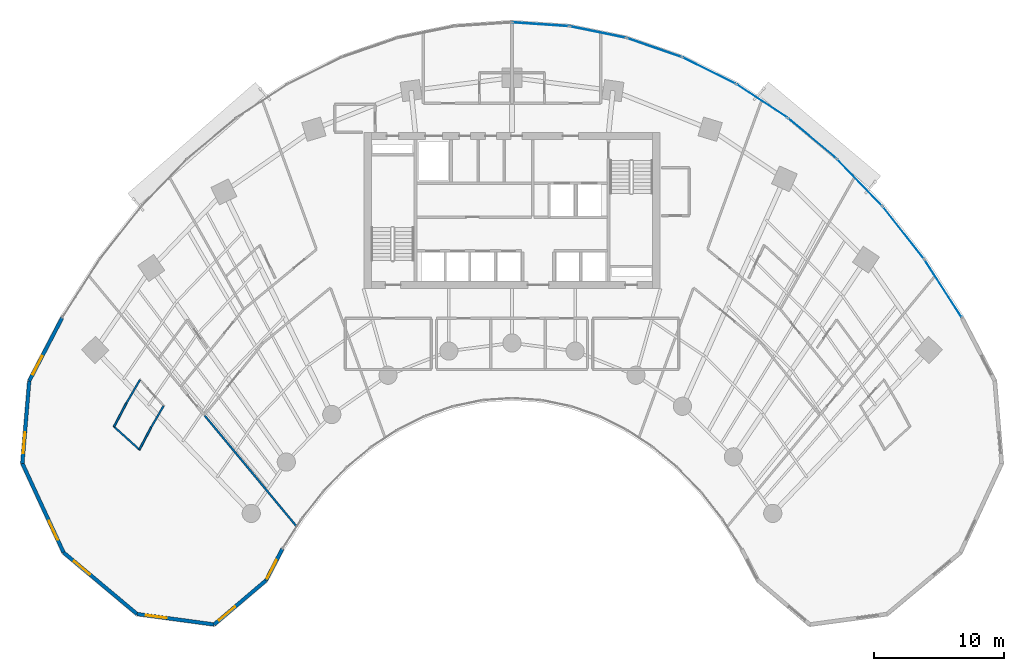
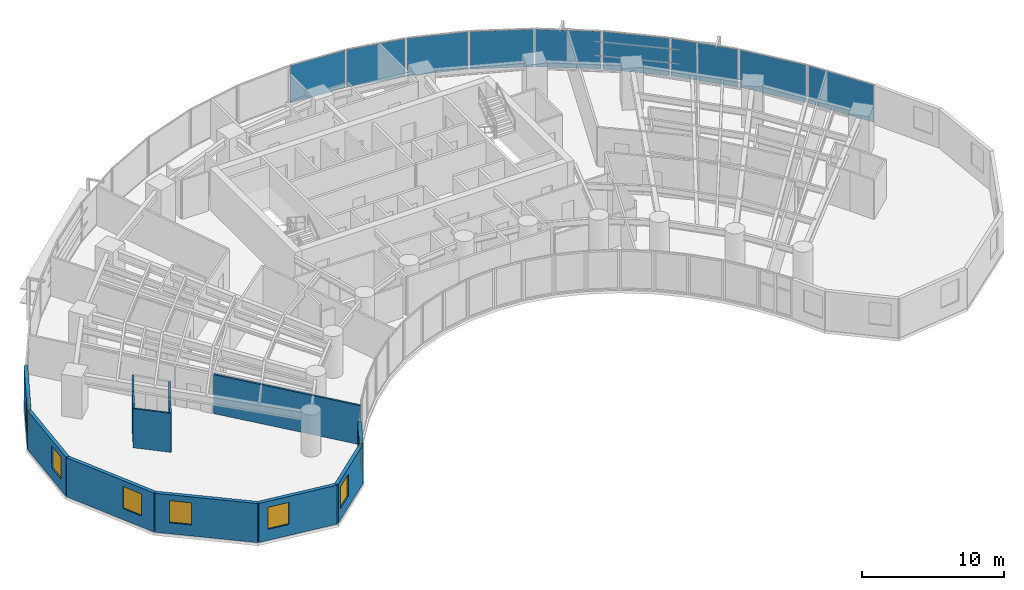
# One storey, part 10 of 17: 13 walls, 9 plates, 7 windows, 7 openings, 9 elements without a shape of their own.
"""IFC4 building model written with IfcOpenShell, lengths in metres."""

from ifc_helpers import new_model, si_unit, direction, frame, frame_2d, origin, origin_2d, place, context, subcontext, project, spatial, rectangle, extrude, source, transform, mapped, material, layer, layer_set, type_object, type_shapes, element, fill, aggregate, save


model = new_model("IFC4")

# Units and contexts
model_context = context("Model", 3, precision=1e-05, world=origin(), true_north=direction((0.0, 1.0)))
body_context = subcontext(model_context, "Body", "Model", "MODEL_VIEW")
ifc_project = project(units=[si_unit("LENGTHUNIT", "METRE"), si_unit("AREAUNIT", "SQUARE_METRE"), si_unit("VOLUMEUNIT", "CUBIC_METRE"), si_unit("PLANEANGLEUNIT", "RADIAN"), si_unit("MASSUNIT", "GRAM", prefix="KILO")], contexts=[model_context])

# Site, building, storey
site_placement = place(None, origin())
site = spatial("IfcSite", under=ifc_project, at=site_placement, CompositionType="ELEMENT")
building_placement = place(site_placement, origin())
building = spatial("IfcBuilding", under=site, at=building_placement, Name="Breltana Convention Tower", CompositionType="ELEMENT")
storey_placement = place(building_placement, frame((0.0, 0.0, 49.800048828125)))
storey = spatial("IfcBuildingStorey", under=building, at=storey_placement, Name="L10", CompositionType="ELEMENT", Elevation=49.800048828125)

# Curtain wall, plate
ifc_material_1 = material(Name="Aluminium Anodised Bronze Frame", Category="aluminium")
ifc_layer_1 = layer(ifc_material_1, 0.199951171875, Name="Aluminium Anodised Bronze Frame")
ifc_layer_set_1 = layer_set([ifc_layer_1], Name="Aluminium Anodised Bronze Frame")
curtain_wall_type = type_object("IfcCurtainWallType", Name="CW-SYS-2", PredefinedType="NOTDEFINED", material=ifc_layer_set_1)
curtain_wall_1_placement = place(storey_placement, origin())
curtain_wall_1 = element("IfcCurtainWall", 1, at=curtain_wall_1_placement, inside=storey, type_object=curtain_wall_type, Name="L10 outer double-skin inner glazing 17", PredefinedType="NOTDEFINED")
ifc_material_2 = material(Name="Glass Low-E Double Glazing", Category="glass")
ifc_layer_2 = layer(ifc_material_2, 0.031982421875, Name="Glass Low-E Double Glazing")
ifc_layer_set_2 = layer_set([ifc_layer_2], Name="Glass Low-E Double Glazing")
plate_type = type_object("IfcPlateType", Name="CWP-IGU-32", PredefinedType="CURTAIN_PANEL", material=ifc_layer_set_2)
shared_shape_1 = source(origin(), body_context, "Body", "SweptSolid", [
    extrude(rectangle(XDim=5.0546875, YDim=0.031982421875, at=origin_2d()), origin(), (0.0, 0.0, 1.0), 3.219970703125),
])
plate_1_placement = place(storey_placement, frame((78.038818359375, 64.504638671875, 0.06982421875), z_axis=(0.0, 0.0, 1.0), x_axis=(0.618153917633, -0.786057080698, 0.0)))
plate_1 = element("IfcPlate", 2, at=plate_1_placement, type_object=plate_type, Name="CW-02 panel 1.1", PredefinedType="CURTAIN_PANEL", context=body_context, shape_type="MappedRepresentation", body=[
    mapped(shared_shape_1, transform((0.0, 0.0, 0.0), scale=1.0)),
])
aggregate(curtain_wall_1, [plate_1])

curtain_wall_2_placement = place(storey_placement, origin())
curtain_wall_2 = element("IfcCurtainWall", 3, at=curtain_wall_2_placement, inside=storey, type_object=curtain_wall_type, Name="L10 outer double-skin inner glazing 16", PredefinedType="NOTDEFINED")
shared_shape_2 = source(origin(), body_context, "Body", "SweptSolid", [
    extrude(rectangle(XDim=4.901123046875, YDim=0.031982421875, at=origin_2d()), origin(), (0.0, 0.0, 1.0), 3.219970703125),
])
plate_2_placement = place(storey_placement, frame((74.682373046875, 68.359619140625, 0.06982421875), z_axis=(0.0, 0.0, 1.0), x_axis=(0.694610090106, -0.719386421003, 0.0)))
plate_2 = element("IfcPlate", 4, at=plate_2_placement, type_object=plate_type, Name="CW-02 panel 1.1", PredefinedType="CURTAIN_PANEL", context=body_context, shape_type="MappedRepresentation", body=[
    mapped(shared_shape_2, transform((0.0, 0.0, 0.0), scale=1.0)),
])
aggregate(curtain_wall_2, [plate_2])

curtain_wall_3_placement = place(storey_placement, origin())
curtain_wall_3 = element("IfcCurtainWall", 5, at=curtain_wall_3_placement, inside=storey, type_object=curtain_wall_type, Name="L10 outer double-skin inner glazing 15", PredefinedType="NOTDEFINED")
shared_shape_3 = source(origin(), body_context, "Body", "SweptSolid", [
    extrude(rectangle(XDim=4.7509765625, YDim=0.031982421875, at=origin_2d()), origin(), (0.0, 0.0, 1.0), 3.219970703125),
])
plate_3_placement = place(storey_placement, frame((71.0537109375, 71.7392578125, 0.06982421875), z_axis=(0.0, 0.0, 1.0), x_axis=(0.767941326958, -0.640520193554, 0.0)))
plate_3 = element("IfcPlate", 6, at=plate_3_placement, type_object=plate_type, Name="CW-02 panel 1.1", PredefinedType="CURTAIN_PANEL", context=body_context, shape_type="MappedRepresentation", body=[
    mapped(shared_shape_3, transform((0.0, 0.0, 0.0), scale=1.0)),
])
aggregate(curtain_wall_3, [plate_3])

curtain_wall_4_placement = place(storey_placement, origin())
curtain_wall_4 = element("IfcCurtainWall", 7, at=curtain_wall_4_placement, inside=storey, type_object=curtain_wall_type, Name="L10 outer double-skin inner glazing 14", PredefinedType="NOTDEFINED")
shared_shape_4 = source(origin(), body_context, "Body", "SweptSolid", [
    extrude(rectangle(XDim=4.610595703125, YDim=0.031982421875, at=origin_2d()), origin(), (0.0, 0.0, 1.0), 3.219970703125),
])
plate_4_placement = place(storey_placement, frame((67.18994140625, 74.609130859375, 0.06982421875), z_axis=(0.0, 0.0, 1.0), x_axis=(0.83596401875, -0.548784255746, 0.0)))
plate_4 = element("IfcPlate", 8, at=plate_4_placement, type_object=plate_type, Name="CW-02 panel 1.1", PredefinedType="CURTAIN_PANEL", context=body_context, shape_type="MappedRepresentation", body=[
    mapped(shared_shape_4, transform((0.0, 0.0, 0.0), scale=1.0)),
])
aggregate(curtain_wall_4, [plate_4])

curtain_wall_5_placement = place(storey_placement, origin())
curtain_wall_5 = element("IfcCurtainWall", 9, at=curtain_wall_5_placement, inside=storey, type_object=curtain_wall_type, Name="L10 outer double-skin inner glazing 13", PredefinedType="NOTDEFINED")
shared_shape_5 = source(origin(), body_context, "Body", "SweptSolid", [
    extrude(rectangle(XDim=4.487548828125, YDim=0.031982421875, at=origin_2d()), origin(), (0.0, 0.0, 1.0), 3.219970703125),
])
plate_5_placement = place(storey_placement, frame((63.13134765625, 76.940185546875, 0.06982421875), z_axis=(0.0, 0.0, 1.0), x_axis=(0.895973407804, -0.444107703726, 0.0)))
plate_5 = element("IfcPlate", 10, at=plate_5_placement, type_object=plate_type, Name="CW-02 panel 1.1", PredefinedType="CURTAIN_PANEL", context=body_context, shape_type="MappedRepresentation", body=[
    mapped(shared_shape_5, transform((0.0, 0.0, 0.0), scale=1.0)),
])
aggregate(curtain_wall_5, [plate_5])

curtain_wall_6_placement = place(storey_placement, origin())
curtain_wall_6 = element("IfcCurtainWall", 11, at=curtain_wall_6_placement, inside=storey, type_object=curtain_wall_type, Name="L10 outer double-skin inner glazing 12", PredefinedType="NOTDEFINED")
shared_shape_6 = source(origin(), body_context, "Body", "SweptSolid", [
    extrude(rectangle(XDim=4.388427734375, YDim=0.031982421875, at=origin_2d()), origin(), (0.0, 0.0, 1.0), 3.219970703125),
])
plate_6_placement = place(storey_placement, frame((58.9189453125, 78.709228515625, 0.06982421875), z_axis=(0.0, 0.0, 1.0), x_axis=(0.944876012163, -0.32742834581, 0.0)))
plate_6 = element("IfcPlate", 12, at=plate_6_placement, type_object=plate_type, Name="CW-02 panel 1.1", PredefinedType="CURTAIN_PANEL", context=body_context, shape_type="MappedRepresentation", body=[
    mapped(shared_shape_6, transform((0.0, 0.0, 0.0), scale=1.0)),
])
aggregate(curtain_wall_6, [plate_6])

curtain_wall_7_placement = place(storey_placement, origin())
curtain_wall_7 = element("IfcCurtainWall", 13, at=curtain_wall_7_placement, inside=storey, type_object=curtain_wall_type, Name="L10 outer double-skin inner glazing 11", PredefinedType="NOTDEFINED")
shared_shape_7 = source(origin(), body_context, "Body", "SweptSolid", [
    extrude(rectangle(XDim=4.318359375, YDim=0.031982421875, at=origin_2d()), origin(), (0.0, 0.0, 1.0), 3.219970703125),
])
plate_7_placement = place(storey_placement, frame((54.595703125, 79.898193359375, 0.06982421875), z_axis=(0.0, 0.0, 1.0), x_axis=(0.979614925743, -0.200884537139, 0.0)))
plate_7 = element("IfcPlate", 14, at=plate_7_placement, type_object=plate_type, Name="CW-02 panel 1.1", PredefinedType="CURTAIN_PANEL", context=body_context, shape_type="MappedRepresentation", body=[
    mapped(shared_shape_7, transform((0.0, 0.0, 0.0), scale=1.0)),
])
aggregate(curtain_wall_7, [plate_7])

curtain_wall_8_placement = place(storey_placement, origin())
curtain_wall_8 = element("IfcCurtainWall", 15, at=curtain_wall_8_placement, inside=storey, type_object=curtain_wall_type, Name="L10 outer double-skin inner glazing 10", PredefinedType="NOTDEFINED")
shared_shape_8 = source(origin(), body_context, "Body", "SweptSolid", [
    extrude(rectangle(XDim=4.2822265625, YDim=0.031982421875, at=origin_2d()), origin(), (0.0, 0.0, 1.0), 3.219970703125),
])
plate_8_placement = place(storey_placement, frame((50.2060546875, 80.495849609375, 0.06982421875), z_axis=(0.0, 0.0, 1.0), x_axis=(0.997703982282, -0.067725650529, 0.0)))
plate_8 = element("IfcPlate", 16, at=plate_8_placement, type_object=plate_type, Name="CW-02 panel 1.1", PredefinedType="CURTAIN_PANEL", context=body_context, shape_type="MappedRepresentation", body=[
    mapped(shared_shape_8, transform((0.0, 0.0, 0.0), scale=1.0)),
])
aggregate(curtain_wall_8, [plate_8])

curtain_wall_9_placement = place(storey_placement, origin())
curtain_wall_9 = element("IfcCurtainWall", 17, at=curtain_wall_9_placement, inside=storey, type_object=curtain_wall_type, Name="L10 outer double-skin inner glazing 18", PredefinedType="NOTDEFINED")
shared_shape_9 = source(origin(), body_context, "Body", "SweptSolid", [
    extrude(rectangle(XDim=5.20556640625, YDim=0.031982421875, at=origin_2d()), origin(), (0.0, 0.0, 1.0), 3.219970703125),
])
plate_9_placement = place(storey_placement, frame((81.088134765625, 60.2138671875, 0.06982421875), z_axis=(0.0, 0.0, 1.0), x_axis=(0.540180724109, -0.841549039154, 0.0)))
plate_9 = element("IfcPlate", 18, at=plate_9_placement, type_object=plate_type, Name="CW-02 panel 1.1", PredefinedType="CURTAIN_PANEL", context=body_context, shape_type="MappedRepresentation", body=[
    mapped(shared_shape_9, transform((0.0, 0.0, 0.0), scale=1.0)),
])
aggregate(curtain_wall_9, [plate_9])

# Wall, opening, window
ifc_material_3 = material(Name="Limestone Buff Insulated Wall", Category="masonry")
ifc_layer_3 = layer(ifc_material_3, 0.280029296875, Name="Limestone Buff Insulated Wall")
ifc_layer_set_3 = layer_set([ifc_layer_3], Name="Limestone Buff Insulated Wall")
wall_type_1 = type_object("IfcWallType", Name="WL-EXT-NOSE-280", PredefinedType="SOLIDWALL", material=ifc_layer_set_3)
shared_shape_10 = source(origin(), body_context, "Body", "SweptSolid", [
    extrude(rectangle(XDim=6.3525390625, YDim=0.280029296875, at=frame_2d((3.17626953125, 0.0))), origin(), (0.0, 0.0, 1.0), 3.35986328125),
])
wall_1_placement = place(storey_placement, frame((10.417724609375, 46.79150390625, 0.0), z_axis=(0.0, 0.0, 1.0), x_axis=(0.083319001377, 0.996522926986, 0.0)))
wall_1 = element("IfcWall", 19, at=wall_1_placement, inside=storey, type_object=wall_type_1, Name="L10 curved limestone nose wall W6", PredefinedType="SOLIDWALL", context=body_context, shape_type="MappedRepresentation", body=[
    mapped(shared_shape_10, transform((0.0, 0.0, 0.0), scale=1.0)),
])
opening_1_placement = place(wall_1_placement, frame((0.7880859375, 0.0, 0.949951171875)))
opening_1 = element("IfcOpeningElement", 20, at=opening_1_placement, cuts=wall_1, Name="Opening W-04", PredefinedType="OPENING", context=body_context, shape_type="SweptSolid", body=[
    extrude(rectangle(XDim=1.60009765625, YDim=1.89990234375, at=frame_2d((0.800048828125, 0.949951171875))), frame((0.0, 0.14990234375, 0.0), z_axis=(0.0, -1.0, 0.0), x_axis=(1.0, 0.0, 0.0)), (0.0, 0.0, 1.0), 0.300048828125),
])
ifc_material_4 = material(Name="Glass Low-E Insulated Window", Category="glass")
window_type = type_object("IfcWindowType", Name="WN-NOSE-1600X1900", PartitioningType="SINGLE_PANEL", PredefinedType="WINDOW", material=ifc_material_4)
shared_shape_11 = source(origin(), body_context, "Body", "SweptSolid", [
    extrude(rectangle(XDim=1.60009765625, YDim=1.89990234375, at=frame_2d((0.800048828125, 0.949951171875))), frame((0.0, 0.030029296875, 0.0), z_axis=(0.0, -1.0, 0.0), x_axis=(1.0, 0.0, 0.0)), (0.0, 0.0, 1.0), 0.06005859375),
])
type_shapes(window_type, [shared_shape_11])
window_1_placement = place(opening_1_placement, origin())
window_1 = element("IfcWindow", 21, at=window_1_placement, inside=storey, type_object=window_type, Name="L10 nose window W6", OverallHeight=1.89990234375, OverallWidth=1.60009765625, PartitioningType="SINGLE_PANEL", PredefinedType="WINDOW", context=body_context, shape_type="MappedRepresentation", body=[
    mapped(shared_shape_11, transform((0.0, 0.0, 0.0), scale=1.0)),
])
fill(opening_1, window_1)

shared_shape_12 = source(origin(), body_context, "Body", "SweptSolid", [
    extrude(rectangle(XDim=7.536376953125, YDim=0.280029296875, at=frame_2d((3.76806640625, 0.0))), origin(), (0.0, 0.0, 1.0), 3.35986328125),
])
wall_2_placement = place(storey_placement, frame((13.580322265625, 39.950927734375, 0.0), z_axis=(0.0, 0.0, 1.0), x_axis=(-0.41964973873, 0.907686122393, 0.0)))
wall_2 = element("IfcWall", 22, at=wall_2_placement, inside=storey, type_object=wall_type_1, Name="L10 curved limestone nose wall W5", PredefinedType="SOLIDWALL", context=body_context, shape_type="MappedRepresentation", body=[
    mapped(shared_shape_12, transform((0.0, 0.0, 0.0), scale=1.0)),
])
opening_2_placement = place(wall_2_placement, frame((1.083984375, 0.0, 0.949951171875)))
opening_2 = element("IfcOpeningElement", 23, at=opening_2_placement, cuts=wall_2, Name="Opening W-04", PredefinedType="OPENING", context=body_context, shape_type="SweptSolid", body=[
    extrude(rectangle(XDim=1.60009765625, YDim=1.89990234375, at=frame_2d((0.800048828125, 0.949951171875))), frame((0.0, 0.14990234375, 0.0), z_axis=(0.0, -1.0, 0.0), x_axis=(1.0, 0.0, 0.0)), (0.0, 0.0, 1.0), 0.300048828125),
])
window_2_placement = place(opening_2_placement, origin())
window_2 = element("IfcWindow", 24, at=window_2_placement, inside=storey, type_object=window_type, Name="L10 nose window W5", OverallHeight=1.89990234375, OverallWidth=1.60009765625, PartitioningType="SINGLE_PANEL", PredefinedType="WINDOW", context=body_context, shape_type="MappedRepresentation", body=[
    mapped(shared_shape_11, transform((0.0, 0.0, 0.0), scale=1.0)),
])
fill(opening_2, window_2)

shared_shape_13 = source(origin(), body_context, "Body", "SweptSolid", [
    extrude(rectangle(XDim=7.35888671875, YDim=0.280029296875, at=frame_2d((3.679443359375, 0.0))), origin(), (0.0, 0.0, 1.0), 3.35986328125),
])
wall_3_placement = place(storey_placement, frame((19.22265625, 35.226806640625, 0.0), z_axis=(0.0, 0.0, 1.0), x_axis=(-0.766737165543, 0.641961150675, 0.0)))
wall_3 = element("IfcWall", 25, at=wall_3_placement, inside=storey, type_object=wall_type_1, Name="L10 curved limestone nose wall W4", PredefinedType="SOLIDWALL", context=body_context, shape_type="MappedRepresentation", body=[
    mapped(shared_shape_13, transform((0.0, 0.0, 0.0), scale=1.0)),
])
opening_3_placement = place(wall_3_placement, frame((4.71923828125, 0.0, 0.949951171875)))
opening_3 = element("IfcOpeningElement", 26, at=opening_3_placement, cuts=wall_3, Name="Opening W-04", PredefinedType="OPENING", context=body_context, shape_type="SweptSolid", body=[
    extrude(rectangle(XDim=1.60009765625, YDim=1.89990234375, at=frame_2d((0.800048828125, 0.949951171875))), frame((0.0, 0.14990234375, 0.0), z_axis=(0.0, -1.0, 0.0), x_axis=(1.0, 0.0, 0.0)), (0.0, 0.0, 1.0), 0.300048828125),
])
window_3_placement = place(opening_3_placement, origin())
window_3 = element("IfcWindow", 27, at=window_3_placement, inside=storey, type_object=window_type, Name="L10 nose window W4", OverallHeight=1.89990234375, OverallWidth=1.60009765625, PartitioningType="SINGLE_PANEL", PredefinedType="WINDOW", context=body_context, shape_type="MappedRepresentation", body=[
    mapped(shared_shape_11, transform((0.0, 0.0, 0.0), scale=1.0)),
])
fill(opening_3, window_3)

shared_shape_14 = source(origin(), body_context, "Body", "SweptSolid", [
    extrude(rectangle(XDim=5.96728515625, YDim=0.280029296875, at=frame_2d((2.983642578125, 0.0))), origin(), (0.0, 0.0, 1.0), 3.35986328125),
])
wall_4_placement = place(storey_placement, frame((25.1357421875, 34.4248046875, 0.0), z_axis=(0.0, 0.0, 1.0), x_axis=(-0.990927009341, 0.134401124099, 0.0)))
wall_4 = element("IfcWall", 28, at=wall_4_placement, inside=storey, type_object=wall_type_1, Name="L10 curved limestone nose wall W3", PredefinedType="SOLIDWALL", context=body_context, shape_type="MappedRepresentation", body=[
    mapped(shared_shape_14, transform((0.0, 0.0, 0.0), scale=1.0)),
])
opening_4_placement = place(wall_4_placement, frame((3.675537109375, 0.0, 0.949951171875)))
opening_4 = element("IfcOpeningElement", 29, at=opening_4_placement, cuts=wall_4, Name="Opening W-04", PredefinedType="OPENING", context=body_context, shape_type="SweptSolid", body=[
    extrude(rectangle(XDim=1.60009765625, YDim=1.89990234375, at=frame_2d((0.800048828125, 0.949951171875))), frame((0.0, 0.14990234375, 0.0), z_axis=(0.0, -1.0, 0.0), x_axis=(1.0, 0.0, 0.0)), (0.0, 0.0, 1.0), 0.300048828125),
])
window_4_placement = place(opening_4_placement, origin())
window_4 = element("IfcWindow", 30, at=window_4_placement, inside=storey, type_object=window_type, Name="L10 nose window W3", OverallHeight=1.89990234375, OverallWidth=1.60009765625, PartitioningType="SINGLE_PANEL", PredefinedType="WINDOW", context=body_context, shape_type="MappedRepresentation", body=[
    mapped(shared_shape_11, transform((0.0, 0.0, 0.0), scale=1.0)),
])
fill(opening_4, window_4)

shared_shape_15 = source(origin(), body_context, "Body", "SweptSolid", [
    extrude(rectangle(XDim=5.222412109375, YDim=0.280029296875, at=frame_2d((2.611328125, 0.0))), origin(), (0.0, 0.0, 1.0), 3.35986328125),
])
wall_5_placement = place(storey_placement, frame((29.11474609375, 37.807373046875, 0.0), z_axis=(0.0, 0.0, 1.0), x_axis=(-0.761900099546, -0.647694556339, 0.0)))
wall_5 = element("IfcWall", 31, at=wall_5_placement, inside=storey, type_object=wall_type_1, Name="L10 curved limestone nose wall W2", PredefinedType="SOLIDWALL", context=body_context, shape_type="MappedRepresentation", body=[
    mapped(shared_shape_15, transform((0.0, 0.0, 0.0), scale=1.0)),
])
opening_5_placement = place(wall_5_placement, frame((3.11669921875, 0.0, 0.949951171875)))
opening_5 = element("IfcOpeningElement", 32, at=opening_5_placement, cuts=wall_5, Name="Opening W-04", PredefinedType="OPENING", context=body_context, shape_type="SweptSolid", body=[
    extrude(rectangle(XDim=1.60009765625, YDim=1.89990234375, at=frame_2d((0.800048828125, 0.949951171875))), frame((0.0, 0.14990234375, 0.0), z_axis=(0.0, -1.0, 0.0), x_axis=(1.0, 0.0, 0.0)), (0.0, 0.0, 1.0), 0.300048828125),
])
window_5_placement = place(opening_5_placement, origin())
window_5 = element("IfcWindow", 33, at=window_5_placement, inside=storey, type_object=window_type, Name="L10 nose window W2", OverallHeight=1.89990234375, OverallWidth=1.60009765625, PartitioningType="SINGLE_PANEL", PredefinedType="WINDOW", context=body_context, shape_type="MappedRepresentation", body=[
    mapped(shared_shape_11, transform((0.0, 0.0, 0.0), scale=1.0)),
])
fill(opening_5, window_5)

shared_shape_16 = source(origin(), body_context, "Body", "SweptSolid", [
    extrude(rectangle(XDim=2.7353515625, YDim=0.280029296875, at=frame_2d((1.36767578125, 0.0))), origin(), (0.0, 0.0, 1.0), 3.35986328125),
])
wall_6_placement = place(storey_placement, frame((30.3779296875, 40.233642578125, 0.0), z_axis=(0.0, 0.0, 1.0), x_axis=(-0.46179107292, -0.886988728774, 0.0)))
wall_6 = element("IfcWall", 34, at=wall_6_placement, inside=storey, type_object=wall_type_1, Name="L10 curved limestone nose wall W1", PredefinedType="SOLIDWALL", context=body_context, shape_type="MappedRepresentation", body=[
    mapped(shared_shape_16, transform((0.0, 0.0, 0.0), scale=1.0)),
])
opening_6_placement = place(wall_6_placement, frame((0.9755859375, 0.0, 0.949951171875)))
opening_6 = element("IfcOpeningElement", 35, at=opening_6_placement, cuts=wall_6, Name="Opening W-04", PredefinedType="OPENING", context=body_context, shape_type="SweptSolid", body=[
    extrude(rectangle(XDim=1.60009765625, YDim=1.89990234375, at=frame_2d((0.800048828125, 0.949951171875))), frame((0.0, 0.14990234375, 0.0), z_axis=(0.0, -1.0, 0.0), x_axis=(1.0, 0.0, 0.0)), (0.0, 0.0, 1.0), 0.300048828125),
])
window_6_placement = place(opening_6_placement, origin())
window_6 = element("IfcWindow", 36, at=window_6_placement, inside=storey, type_object=window_type, Name="L10 nose window W1", OverallHeight=1.89990234375, OverallWidth=1.60009765625, PartitioningType="SINGLE_PANEL", PredefinedType="WINDOW", context=body_context, shape_type="MappedRepresentation", body=[
    mapped(shared_shape_11, transform((0.0, 0.0, 0.0), scale=1.0)),
])
fill(opening_6, window_6)

shared_shape_17 = source(origin(), body_context, "Body", "SweptSolid", [
    extrude(rectangle(XDim=5.45947265625, YDim=0.280029296875, at=frame_2d((2.729736328125, 0.0))), origin(), (0.0, 0.0, 1.0), 3.35986328125),
])
wall_7_placement = place(storey_placement, frame((10.947021484375, 53.1220703125, 0.0), z_axis=(0.0, 0.0, 1.0), x_axis=(0.461768054321, 0.887000712518, 0.0)))
wall_7 = element("IfcWall", 37, at=wall_7_placement, inside=storey, type_object=wall_type_1, Name="L10 curved limestone nose wall W7", PredefinedType="SOLIDWALL", context=body_context, shape_type="MappedRepresentation", body=[
    mapped(shared_shape_17, transform((0.0, 0.0, 0.0), scale=1.0)),
])
opening_7_placement = place(wall_7_placement, frame((0.56494140625, 0.0, 0.949951171875)))
opening_7 = element("IfcOpeningElement", 38, at=opening_7_placement, cuts=wall_7, Name="Opening W-04", PredefinedType="OPENING", context=body_context, shape_type="SweptSolid", body=[
    extrude(rectangle(XDim=1.60009765625, YDim=1.89990234375, at=frame_2d((0.800048828125, 0.949951171875))), frame((0.0, 0.14990234375, 0.0), z_axis=(0.0, -1.0, 0.0), x_axis=(1.0, 0.0, 0.0)), (0.0, 0.0, 1.0), 0.300048828125),
])
window_7_placement = place(opening_7_placement, origin())
window_7 = element("IfcWindow", 39, at=window_7_placement, inside=storey, type_object=window_type, Name="L10 nose window W7", OverallHeight=1.89990234375, OverallWidth=1.60009765625, PartitioningType="SINGLE_PANEL", PredefinedType="WINDOW", context=body_context, shape_type="MappedRepresentation", body=[
    mapped(shared_shape_11, transform((0.0, 0.0, 0.0), scale=1.0)),
])
fill(opening_7, window_7)

# Walls
ifc_material_5 = material(Name="Moisture-Resistant En-Suite Partition")
ifc_layer_4 = layer(ifc_material_5, 0.139892578125, Name="Moisture-Resistant En-Suite Partition")
ifc_layer_set_4 = layer_set([ifc_layer_4], Name="Moisture-Resistant En-Suite Partition")
wall_type_2 = type_object("IfcWallType", Name="WL-WET-150", PredefinedType="PARTITIONING", material=ifc_layer_set_4)
shared_shape_18 = source(origin(), body_context, "Body", "SweptSolid", [
    extrude(rectangle(XDim=2.738037109375, YDim=0.139892578125, at=frame_2d((1.369140625, 0.0))), origin(), (0.0, 0.0, 1.0), 3.35986328125),
])
wall_8_placement = place(storey_placement, frame((19.439697265625, 47.81396484375, 0.0), z_axis=(0.0, 0.0, 1.0), x_axis=(-0.741873676582, 0.670539669218, 0.0)))
element("IfcWall", 40, at=wall_8_placement, inside=storey, type_object=wall_type_2, Name="L10 interior partition W-L10-CSENS-W-F", PredefinedType="PARTITIONING", context=body_context, shape_type="MappedRepresentation", body=[
    mapped(shared_shape_18, transform((0.0, 0.0, 0.0), scale=1.0)),
])
shared_shape_19 = source(origin(), body_context, "Body", "SweptSolid", [
    extrude(rectangle(XDim=1.936279296875, YDim=0.139892578125, at=frame_2d((0.96826171875, 0.0))), origin(), (0.0, 0.0, 1.0), 3.35986328125),
])
wall_9_placement = place(storey_placement, frame((19.398193359375, 47.8515625, 0.0), z_axis=(0.0, 0.0, 1.0), x_axis=(0.467174971862, 0.884164886017, 0.0)))
element("IfcWall", 41, at=wall_9_placement, inside=storey, type_object=wall_type_2, Name="L10 interior partition W-L10-CSENS-W-B1A", PredefinedType="PARTITIONING", context=body_context, shape_type="MappedRepresentation", body=[
    mapped(shared_shape_19, transform((0.0, 0.0, 0.0), scale=1.0)),
])
shared_shape_20 = source(origin(), body_context, "Body", "SweptSolid", [
    extrude(rectangle(XDim=2.068115234375, YDim=0.139892578125, at=frame_2d((1.0341796875, 0.0))), origin(), (0.0, 0.0, 1.0), 3.35986328125),
])
wall_10_placement = place(storey_placement, frame((17.449951171875, 49.6123046875, 0.0), z_axis=(0.0, 0.0, 1.0), x_axis=(0.467215057643, 0.884143704333, 0.0)))
element("IfcWall", 42, at=wall_10_placement, inside=storey, type_object=wall_type_2, Name="L10 interior partition W-L10-CSENS-W-B2A", PredefinedType="PARTITIONING", context=body_context, shape_type="MappedRepresentation", body=[
    mapped(shared_shape_20, transform((0.0, 0.0, 0.0), scale=1.0)),
])
shared_shape_21 = source(origin(), body_context, "Body", "SweptSolid", [
    extrude(rectangle(XDim=1.914306640625, YDim=0.139892578125, at=frame_2d((0.95703125, 0.0))), origin(), (0.0, 0.0, 1.0), 3.35986328125),
])
wall_11_placement = place(storey_placement, frame((20.302734375, 49.5634765625, 0.0), z_axis=(0.0, 0.0, 1.0), x_axis=(0.502347790612, 0.864665656347, 0.0)))
element("IfcWall", 43, at=wall_11_placement, inside=storey, type_object=wall_type_2, Name="L10 interior partition W-L10-CSENS-W-B1B", PredefinedType="PARTITIONING", context=body_context, shape_type="MappedRepresentation", body=[
    mapped(shared_shape_21, transform((0.0, 0.0, 0.0), scale=1.0)),
])
shared_shape_22 = source(origin(), body_context, "Body", "SweptSolid", [
    extrude(rectangle(XDim=2.044677734375, YDim=0.139892578125, at=frame_2d((1.0224609375, 0.0))), origin(), (0.0, 0.0, 1.0), 3.35986328125),
])
wall_12_placement = place(storey_placement, frame((18.416259765625, 51.44091796875, 0.0), z_axis=(0.0, 0.0, 1.0), x_axis=(0.5023112139, 0.864686905411, 0.0)))
element("IfcWall", 44, at=wall_12_placement, inside=storey, type_object=wall_type_2, Name="L10 interior partition W-L10-CSENS-W-B2B", PredefinedType="PARTITIONING", context=body_context, shape_type="MappedRepresentation", body=[
    mapped(shared_shape_22, transform((0.0, 0.0, 0.0), scale=1.0)),
])
ifc_material_6 = material(Name="Gypsum Acoustic Drywall Partition")
ifc_layer_5 = layer(ifc_material_6, 0.14990234375, Name="Gypsum Acoustic Drywall Partition")
ifc_layer_set_5 = layer_set([ifc_layer_5], Name="Gypsum Acoustic Drywall Partition")
wall_type_3 = type_object("IfcWallType", Name="WL-PART-150", PredefinedType="PARTITIONING", material=ifc_layer_set_5)
shared_shape_23 = source(origin(), body_context, "Body", "SweptSolid", [
    extrude(rectangle(XDim=11.05322265625, YDim=0.14990234375, at=frame_2d((5.526611328125, 0.0))), origin(), (0.0, 0.0, 1.0), 3.35986328125),
])
wall_13_placement = place(storey_placement, frame((31.466064453125, 41.948974609375, 0.0), z_axis=(0.0, 0.0, 1.0), x_axis=(-0.638131235571, 0.769927611005, 0.0)))
element("IfcWall", 45, at=wall_13_placement, inside=storey, type_object=wall_type_3, Name="L10 interior partition W-L10-HCF1-RA", PredefinedType="PARTITIONING", context=body_context, shape_type="MappedRepresentation", body=[
    mapped(shared_shape_23, transform((0.0, 0.0, 0.0), scale=1.0)),
])

save(model, "model.ifc")
